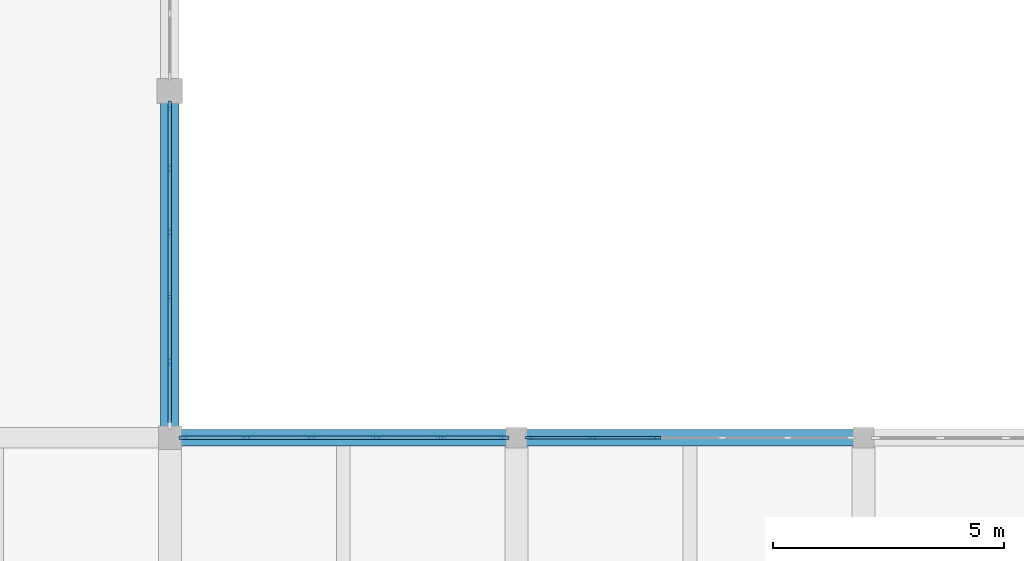
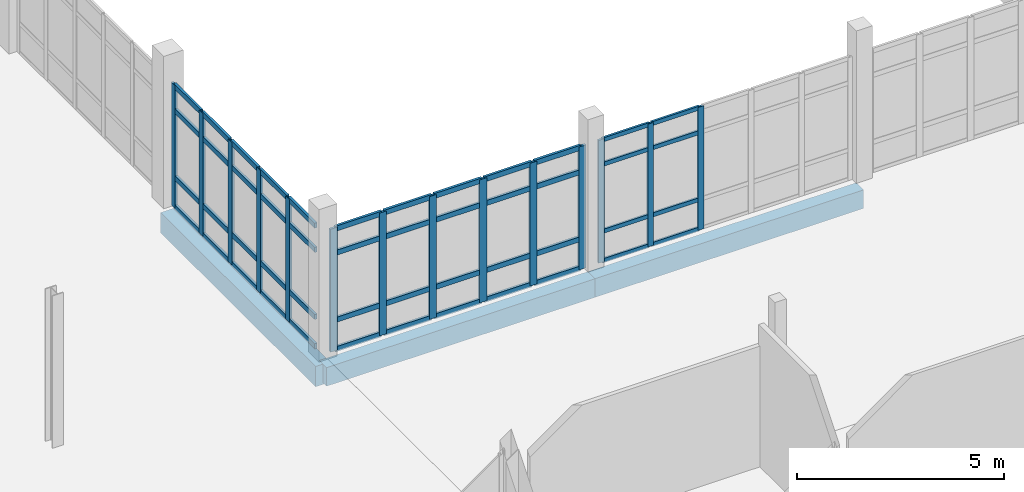
# One storey, part 39 of 128: 62 members, 3 beams, 3 elements without a shape of their own.
"""IFC4 building model written with IfcOpenShell, lengths in metres."""

from ifc_helpers import new_model, si_unit, direction, frame, origin, origin_2d, place, context, subcontext, project, spatial, rectangle, extrude, material, layer, layer_set, material_profile, profile_set, type_object, element, aggregate, save


model = new_model("IFC4")

# Units and contexts
model_context = context("Model", 3, precision=1e-05, world=origin(), true_north=direction((0.0, 1.0)))
body_context = subcontext(model_context, "Body", "Model", "MODEL_VIEW")
ifc_project = project(units=[si_unit("LENGTHUNIT", "METRE"), si_unit("AREAUNIT", "SQUARE_METRE"), si_unit("VOLUMEUNIT", "CUBIC_METRE"), si_unit("PLANEANGLEUNIT", "RADIAN"), si_unit("MASSUNIT", "GRAM", prefix="KILO")], contexts=[model_context])

# Site, building, storey
site_placement = place(None, origin())
site = spatial("IfcSite", under=ifc_project, at=site_placement, CompositionType="ELEMENT")
building_placement = place(site_placement, origin())
building = spatial("IfcBuilding", under=site, at=building_placement, Name="Dalvernix Boulevard General Hospital", CompositionType="ELEMENT")
storey_placement = place(building_placement, frame((0.0, 0.0, 4.800048828125)))
storey = spatial("IfcBuildingStorey", under=building, at=storey_placement, Name="L01", CompositionType="ELEMENT", Elevation=4.800048828125)

# Beams
ifc_material_1 = material(Name="Concrete C35/45", Category="concrete")
ifc_material_profile_1 = material_profile(ifc_material_1, rectangle(XDim=0.35009765625, YDim=0.550048828125, at=origin_2d()), Name="RCB 350x550")
ifc_profile_set_1 = profile_set([ifc_material_profile_1], Name="Concrete C35/45")
beam_type_1 = type_object("IfcBeamType", Name="BM-SB-01-E", PredefinedType="SPANDREL", material=ifc_profile_set_1)
for number, where, z_axis, x_axis, name in (
    (1, (112.5, 31.5, -0.574951171875), (1.0, 0.0, 0.0), (0.0, 1.0, 0.0), "L01 E-W girder E:16-17"),
    (2, (120.0, 31.5, -0.574951171875), (1.0, 0.0, 0.0), (0.0, 1.0, 0.0), "L01 E-W girder E:17-18"),
):
    element("IfcBeam", number, at=place(storey_placement, frame(where, z_axis=z_axis, x_axis=x_axis)), inside=storey, type_object=beam_type_1, Name=name, PredefinedType="SPANDREL", context=body_context, shape_type="SweptSolid", body=[
        extrude(rectangle(XDim=0.35009765625, YDim=0.550048828125, at=origin_2d()), origin(), (0.0, 0.0, 1.0), 7.5),
    ])
ifc_material_profile_2 = material_profile(ifc_material_1, rectangle(XDim=0.39990234375, YDim=0.60009765625, at=origin_2d()), Name="RCB 400x600")
ifc_profile_set_2 = profile_set([ifc_material_profile_2], Name="Concrete C35/45")
beam_type_2 = type_object("IfcBeamType", Name="BM-SB-02-E", PredefinedType="SPANDREL", material=ifc_profile_set_2)
beam_placement = place(storey_placement, frame((112.5, 31.5, -0.60009765625), z_axis=(0.0, 1.0, 0.0), x_axis=(-1.0, 0.0, 0.0)))
element("IfcBeam", 3, at=beam_placement, inside=storey, type_object=beam_type_2, Name="L01 N-S girder 16:E-F", PredefinedType="SPANDREL", context=body_context, shape_type="SweptSolid", body=[
    extrude(rectangle(XDim=0.39990234375, YDim=0.60009765625, at=origin_2d()), origin(), (0.0, 0.0, 1.0), 7.5),
])

# Curtain wall, members
ifc_material_2 = material(Name="Thermally broken aluminium and solar-control glass curtain wall", Category="aluminium")
ifc_layer_1 = layer(ifc_material_2, 0.159912109375)
ifc_layer_set_1 = layer_set([ifc_layer_1], Name="Thermally broken aluminium and solar-control glass curtain wall (CW-CW-A-70x36)")
curtain_wall_type_1 = type_object("IfcCurtainWallType", Name="CW-CW-A-70x36", PredefinedType="USERDEFINED", material=ifc_layer_set_1)
curtain_wall_1_placement = place(storey_placement, origin())
curtain_wall_1 = element("IfcCurtainWall", 4, at=curtain_wall_1_placement, inside=storey, type_object=curtain_wall_type_1, Name="L01 curtain wall CW-A-70x36 16-4", ObjectType="GLAZED FACADE", PredefinedType="USERDEFINED")
ifc_material_3 = material(Name="Aluminium EN AW-6060", Category="aluminium")
ifc_material_profile_3 = material_profile(ifc_material_3, rectangle(XDim=0.06005859375, YDim=0.159912109375, at=origin_2d()), Name="ALU MULL 60x160")
ifc_profile_set_3 = profile_set([ifc_material_profile_3], Name="Aluminium EN AW-6060")
member_type_1 = type_object("IfcMemberType", Name="MEM-CW-M1", PredefinedType="MULLION", material=ifc_profile_set_3)
member_1_placement = place(storey_placement, frame((120.264892578125, 31.5, 0.0), z_axis=(0.0, 0.0, 1.0), x_axis=(0.0, 1.0, 0.0)))
member_1 = element("IfcMember", 5, at=member_1_placement, type_object=member_type_1, Name="CW-A-70x36 mullion 1", PredefinedType="MULLION", context=body_context, shape_type="SweptSolid", body=[
    extrude(rectangle(XDim=0.06005859375, YDim=0.159912109375, at=origin_2d()), origin(), (0.0, 0.0, 1.0), 3.6298828125),
])
member_2_placement = place(storey_placement, frame((121.64111328125, 31.5, 0.0), z_axis=(0.0, 0.0, 1.0), x_axis=(0.0, 1.0, 0.0)))
member_2 = element("IfcMember", 6, at=member_2_placement, type_object=member_type_1, Name="CW-A-70x36 mullion 2", PredefinedType="MULLION", context=body_context, shape_type="SweptSolid", body=[
    extrude(rectangle(XDim=0.06005859375, YDim=0.159912109375, at=origin_2d()), origin(), (0.0, 0.0, 1.0), 3.6298828125),
])
member_3_placement = place(storey_placement, frame((123.047119140625, 31.5, 0.0), z_axis=(0.0, 0.0, 1.0), x_axis=(0.0, 1.0, 0.0)))
member_3 = element("IfcMember", 7, at=member_3_placement, type_object=member_type_1, Name="CW-A-70x36 mullion 3", PredefinedType="MULLION", context=body_context, shape_type="SweptSolid", body=[
    extrude(rectangle(XDim=0.06005859375, YDim=0.159912109375, at=origin_2d()), origin(), (0.0, 0.0, 1.0), 3.6298828125),
])

ifc_layer_2 = layer(ifc_material_2, 0.199951171875)
ifc_layer_set_2 = layer_set([ifc_layer_2], Name="Thermally broken aluminium and solar-control glass curtain wall (CW-CW-C-70x36)")
curtain_wall_type_2 = type_object("IfcCurtainWallType", Name="CW-CW-C-70x36", PredefinedType="USERDEFINED", material=ifc_layer_set_2)
curtain_wall_2_placement = place(storey_placement, origin())
curtain_wall_2 = element("IfcCurtainWall", 8, at=curtain_wall_2_placement, inside=storey, type_object=curtain_wall_type_2, Name="L01 curtain wall CW-C-70x36 15-4", ObjectType="GLAZED FACADE", PredefinedType="USERDEFINED")
ifc_material_profile_4 = material_profile(ifc_material_3, rectangle(XDim=0.070068359375, YDim=0.199951171875, at=origin_2d()), Name="ALU MULL 70x200")
ifc_profile_set_4 = profile_set([ifc_material_profile_4], Name="Aluminium EN AW-6060")
member_type_2 = type_object("IfcMemberType", Name="MEM-CW-M3", PredefinedType="MULLION", material=ifc_profile_set_4)
member_4_placement = place(storey_placement, frame((112.5, 38.679931640625, 0.0), z_axis=(0.0, 0.0, 1.0), x_axis=(1.0, 0.0, 0.0)))
member_4 = element("IfcMember", 9, at=member_4_placement, type_object=member_type_2, Name="CW-C-70x36 mullion 1", PredefinedType="MULLION", context=body_context, shape_type="SweptSolid", body=[
    extrude(rectangle(XDim=0.070068359375, YDim=0.199951171875, at=origin_2d()), origin(), (0.0, 0.0, 1.0), 3.6298828125),
])
member_5_placement = place(storey_placement, frame((112.5, 37.323974609375, 0.0), z_axis=(0.0, 0.0, 1.0), x_axis=(1.0, 0.0, 0.0)))
member_5 = element("IfcMember", 10, at=member_5_placement, type_object=member_type_2, Name="CW-C-70x36 mullion 2", PredefinedType="MULLION", context=body_context, shape_type="SweptSolid", body=[
    extrude(rectangle(XDim=0.070068359375, YDim=0.199951171875, at=origin_2d()), origin(), (0.0, 0.0, 1.0), 3.6298828125),
])
member_6_placement = place(storey_placement, frame((112.5, 35.93310546875, 0.0), z_axis=(0.0, 0.0, 1.0), x_axis=(1.0, 0.0, 0.0)))
member_6 = element("IfcMember", 11, at=member_6_placement, type_object=member_type_2, Name="CW-C-70x36 mullion 3", PredefinedType="MULLION", context=body_context, shape_type="SweptSolid", body=[
    extrude(rectangle(XDim=0.070068359375, YDim=0.199951171875, at=origin_2d()), origin(), (0.0, 0.0, 1.0), 3.6298828125),
])
member_7_placement = place(storey_placement, frame((112.5, 34.5419921875, 0.0), z_axis=(0.0, 0.0, 1.0), x_axis=(1.0, 0.0, 0.0)))
member_7 = element("IfcMember", 12, at=member_7_placement, type_object=member_type_2, Name="CW-C-70x36 mullion 4", PredefinedType="MULLION", context=body_context, shape_type="SweptSolid", body=[
    extrude(rectangle(XDim=0.070068359375, YDim=0.199951171875, at=origin_2d()), origin(), (0.0, 0.0, 1.0), 3.6298828125),
])
member_8_placement = place(storey_placement, frame((112.5, 33.15087890625, 0.0), z_axis=(0.0, 0.0, 1.0), x_axis=(1.0, 0.0, 0.0)))
member_8 = element("IfcMember", 13, at=member_8_placement, type_object=member_type_2, Name="CW-C-70x36 mullion 5", PredefinedType="MULLION", context=body_context, shape_type="SweptSolid", body=[
    extrude(rectangle(XDim=0.070068359375, YDim=0.199951171875, at=origin_2d()), origin(), (0.0, 0.0, 1.0), 3.6298828125),
])

curtain_wall_3_placement = place(storey_placement, origin())
curtain_wall_3 = element("IfcCurtainWall", 14, at=curtain_wall_3_placement, inside=storey, type_object=curtain_wall_type_2, Name="L01 curtain wall CW-C-70x36 15-4", ObjectType="GLAZED FACADE", PredefinedType="USERDEFINED")
member_9_placement = place(storey_placement, frame((112.794921875, 31.5, 0.0), z_axis=(0.0, 0.0, 1.0), x_axis=(0.0, 1.0, 0.0)))
member_9 = element("IfcMember", 15, at=member_9_placement, type_object=member_type_2, Name="CW-C-70x36 mullion 1", PredefinedType="MULLION", context=body_context, shape_type="SweptSolid", body=[
    extrude(rectangle(XDim=0.070068359375, YDim=0.199951171875, at=origin_2d()), origin(), (0.0, 0.0, 1.0), 3.6298828125),
])
member_10_placement = place(storey_placement, frame((114.160888671875, 31.5, 0.0), z_axis=(0.0, 0.0, 1.0), x_axis=(0.0, 1.0, 0.0)))
member_10 = element("IfcMember", 16, at=member_10_placement, type_object=member_type_2, Name="CW-C-70x36 mullion 2", PredefinedType="MULLION", context=body_context, shape_type="SweptSolid", body=[
    extrude(rectangle(XDim=0.070068359375, YDim=0.199951171875, at=origin_2d()), origin(), (0.0, 0.0, 1.0), 3.6298828125),
])
member_11_placement = place(storey_placement, frame((115.56201171875, 31.5, 0.0), z_axis=(0.0, 0.0, 1.0), x_axis=(0.0, 1.0, 0.0)))
member_11 = element("IfcMember", 17, at=member_11_placement, type_object=member_type_2, Name="CW-C-70x36 mullion 3", PredefinedType="MULLION", context=body_context, shape_type="SweptSolid", body=[
    extrude(rectangle(XDim=0.070068359375, YDim=0.199951171875, at=origin_2d()), origin(), (0.0, 0.0, 1.0), 3.6298828125),
])
member_12_placement = place(storey_placement, frame((116.962890625, 31.5, 0.0), z_axis=(0.0, 0.0, 1.0), x_axis=(0.0, 1.0, 0.0)))
member_12 = element("IfcMember", 18, at=member_12_placement, type_object=member_type_2, Name="CW-C-70x36 mullion 4", PredefinedType="MULLION", context=body_context, shape_type="SweptSolid", body=[
    extrude(rectangle(XDim=0.070068359375, YDim=0.199951171875, at=origin_2d()), origin(), (0.0, 0.0, 1.0), 3.6298828125),
])
member_13_placement = place(storey_placement, frame((118.364013671875, 31.5, 0.0), z_axis=(0.0, 0.0, 1.0), x_axis=(0.0, 1.0, 0.0)))
member_13 = element("IfcMember", 19, at=member_13_placement, type_object=member_type_2, Name="CW-C-70x36 mullion 5", PredefinedType="MULLION", context=body_context, shape_type="SweptSolid", body=[
    extrude(rectangle(XDim=0.070068359375, YDim=0.199951171875, at=origin_2d()), origin(), (0.0, 0.0, 1.0), 3.6298828125),
])
member_14_placement = place(storey_placement, frame((119.72998046875, 31.5, 0.0), z_axis=(0.0, 0.0, 1.0), x_axis=(0.0, 1.0, 0.0)))
member_14 = element("IfcMember", 20, at=member_14_placement, type_object=member_type_2, Name="CW-C-70x36 mullion 6", PredefinedType="MULLION", context=body_context, shape_type="SweptSolid", body=[
    extrude(rectangle(XDim=0.070068359375, YDim=0.199951171875, at=origin_2d()), origin(), (0.0, 0.0, 1.0), 3.6298828125),
])

# Member
ifc_material_profile_5 = material_profile(ifc_material_3, rectangle(XDim=0.06005859375, YDim=0.1201171875, at=origin_2d()), Name="ALU TRAN 60x120")
ifc_profile_set_5 = profile_set([ifc_material_profile_5], Name="Aluminium EN AW-6060")
member_type_3 = type_object("IfcMemberType", Name="MEM-CW-T1", PredefinedType="USERDEFINED", material=ifc_profile_set_5)
member_15_placement = place(storey_placement, frame((120.294921875, 31.5, 0.030029296875), z_axis=(1.0, 0.0, 0.0), x_axis=(0.0, 1.0, 0.0)))
member_15 = element("IfcMember", 21, at=member_15_placement, type_object=member_type_3, Name="CW-A-70x36 transom 1.1", ObjectType="TRANSOM", PredefinedType="USERDEFINED", context=body_context, shape_type="SweptSolid", body=[
    extrude(rectangle(XDim=0.06005859375, YDim=0.1201171875, at=origin_2d()), origin(), (0.0, 0.0, 1.0), 1.316162109375),
])

member_16_placement = place(storey_placement, frame((120.294921875, 31.5, 0.89990234375), z_axis=(1.0, 0.0, 0.0), x_axis=(0.0, 1.0, 0.0)))
member_16 = element("IfcMember", 22, at=member_16_placement, type_object=member_type_3, Name="CW-A-70x36 transom 1.2", ObjectType="TRANSOM", PredefinedType="USERDEFINED", context=body_context, shape_type="SweptSolid", body=[
    extrude(rectangle(XDim=0.06005859375, YDim=0.1201171875, at=origin_2d()), origin(), (0.0, 0.0, 1.0), 1.316162109375),
])

member_17_placement = place(storey_placement, frame((120.294921875, 31.5, 2.8798828125), z_axis=(1.0, 0.0, 0.0), x_axis=(0.0, 1.0, 0.0)))
member_17 = element("IfcMember", 23, at=member_17_placement, type_object=member_type_3, Name="CW-A-70x36 transom 1.3", ObjectType="TRANSOM", PredefinedType="USERDEFINED", context=body_context, shape_type="SweptSolid", body=[
    extrude(rectangle(XDim=0.06005859375, YDim=0.1201171875, at=origin_2d()), origin(), (0.0, 0.0, 1.0), 1.316162109375),
])

member_18_placement = place(storey_placement, frame((120.294921875, 31.5, 3.599853515625), z_axis=(1.0, 0.0, 0.0), x_axis=(0.0, 1.0, 0.0)))
member_18 = element("IfcMember", 24, at=member_18_placement, type_object=member_type_3, Name="CW-A-70x36 transom 1.4", ObjectType="TRANSOM", PredefinedType="USERDEFINED", context=body_context, shape_type="SweptSolid", body=[
    extrude(rectangle(XDim=0.06005859375, YDim=0.1201171875, at=origin_2d()), origin(), (0.0, 0.0, 1.0), 1.316162109375),
])

member_19_placement = place(storey_placement, frame((121.6708984375, 31.5, 0.030029296875), z_axis=(1.0, 0.0, 0.0), x_axis=(0.0, 1.0, 0.0)))
member_19 = element("IfcMember", 25, at=member_19_placement, type_object=member_type_3, Name="CW-A-70x36 transom 2.1", ObjectType="TRANSOM", PredefinedType="USERDEFINED", context=body_context, shape_type="SweptSolid", body=[
    extrude(rectangle(XDim=0.06005859375, YDim=0.1201171875, at=origin_2d()), origin(), (0.0, 0.0, 1.0), 1.34619140625),
])

member_20_placement = place(storey_placement, frame((121.6708984375, 31.5, 0.89990234375), z_axis=(1.0, 0.0, 0.0), x_axis=(0.0, 1.0, 0.0)))
member_20 = element("IfcMember", 26, at=member_20_placement, type_object=member_type_3, Name="CW-A-70x36 transom 2.2", ObjectType="TRANSOM", PredefinedType="USERDEFINED", context=body_context, shape_type="SweptSolid", body=[
    extrude(rectangle(XDim=0.06005859375, YDim=0.1201171875, at=origin_2d()), origin(), (0.0, 0.0, 1.0), 1.34619140625),
])

member_21_placement = place(storey_placement, frame((121.6708984375, 31.5, 2.8798828125), z_axis=(1.0, 0.0, 0.0), x_axis=(0.0, 1.0, 0.0)))
member_21 = element("IfcMember", 27, at=member_21_placement, type_object=member_type_3, Name="CW-A-70x36 transom 2.3", ObjectType="TRANSOM", PredefinedType="USERDEFINED", context=body_context, shape_type="SweptSolid", body=[
    extrude(rectangle(XDim=0.06005859375, YDim=0.1201171875, at=origin_2d()), origin(), (0.0, 0.0, 1.0), 1.34619140625),
])

member_22_placement = place(storey_placement, frame((121.6708984375, 31.5, 3.599853515625), z_axis=(1.0, 0.0, 0.0), x_axis=(0.0, 1.0, 0.0)))
member_22 = element("IfcMember", 28, at=member_22_placement, type_object=member_type_3, Name="CW-A-70x36 transom 2.4", ObjectType="TRANSOM", PredefinedType="USERDEFINED", context=body_context, shape_type="SweptSolid", body=[
    extrude(rectangle(XDim=0.06005859375, YDim=0.1201171875, at=origin_2d()), origin(), (0.0, 0.0, 1.0), 1.34619140625),
])

aggregate(curtain_wall_1, [member_1, member_2, member_3, member_15, member_16, member_17, member_18, member_19, member_20, member_21, member_22])

ifc_material_profile_6 = material_profile(ifc_material_3, rectangle(XDim=0.070068359375, YDim=0.14990234375, at=origin_2d()), Name="ALU TRAN 70x150")
ifc_profile_set_6 = profile_set([ifc_material_profile_6], Name="Aluminium EN AW-6060")
member_type_4 = type_object("IfcMemberType", Name="MEM-CW-T3", PredefinedType="USERDEFINED", material=ifc_profile_set_6)
member_23_placement = place(storey_placement, frame((112.5, 38.64501953125, 0.034912109375), z_axis=(0.0, -1.0, 0.0), x_axis=(1.0, 0.0, 0.0)))
member_23 = element("IfcMember", 29, at=member_23_placement, type_object=member_type_4, Name="CW-C-70x36 transom 1.1", ObjectType="TRANSOM", PredefinedType="USERDEFINED", context=body_context, shape_type="SweptSolid", body=[
    extrude(rectangle(XDim=0.070068359375, YDim=0.14990234375, at=origin_2d()), origin(), (0.0, 0.0, 1.0), 1.2861328125),
])

member_24_placement = place(storey_placement, frame((112.5, 38.64501953125, 0.89990234375), z_axis=(0.0, -1.0, 0.0), x_axis=(1.0, 0.0, 0.0)))
member_24 = element("IfcMember", 30, at=member_24_placement, type_object=member_type_4, Name="CW-C-70x36 transom 1.2", ObjectType="TRANSOM", PredefinedType="USERDEFINED", context=body_context, shape_type="SweptSolid", body=[
    extrude(rectangle(XDim=0.070068359375, YDim=0.14990234375, at=origin_2d()), origin(), (0.0, 0.0, 1.0), 1.2861328125),
])

member_25_placement = place(storey_placement, frame((112.5, 38.64501953125, 2.8798828125), z_axis=(0.0, -1.0, 0.0), x_axis=(1.0, 0.0, 0.0)))
member_25 = element("IfcMember", 31, at=member_25_placement, type_object=member_type_4, Name="CW-C-70x36 transom 1.3", ObjectType="TRANSOM", PredefinedType="USERDEFINED", context=body_context, shape_type="SweptSolid", body=[
    extrude(rectangle(XDim=0.070068359375, YDim=0.14990234375, at=origin_2d()), origin(), (0.0, 0.0, 1.0), 1.2861328125),
])

member_26_placement = place(storey_placement, frame((112.5, 38.64501953125, 3.594970703125), z_axis=(0.0, -1.0, 0.0), x_axis=(1.0, 0.0, 0.0)))
member_26 = element("IfcMember", 32, at=member_26_placement, type_object=member_type_4, Name="CW-C-70x36 transom 1.4", ObjectType="TRANSOM", PredefinedType="USERDEFINED", context=body_context, shape_type="SweptSolid", body=[
    extrude(rectangle(XDim=0.070068359375, YDim=0.14990234375, at=origin_2d()), origin(), (0.0, 0.0, 1.0), 1.2861328125),
])

member_27_placement = place(storey_placement, frame((112.5, 37.2890625, 0.034912109375), z_axis=(0.0, -1.0, 0.0), x_axis=(1.0, 0.0, 0.0)))
member_27 = element("IfcMember", 33, at=member_27_placement, type_object=member_type_4, Name="CW-C-70x36 transom 2.1", ObjectType="TRANSOM", PredefinedType="USERDEFINED", context=body_context, shape_type="SweptSolid", body=[
    extrude(rectangle(XDim=0.070068359375, YDim=0.14990234375, at=origin_2d()), origin(), (0.0, 0.0, 1.0), 1.321044921875),
])

member_28_placement = place(storey_placement, frame((112.5, 37.2890625, 0.89990234375), z_axis=(0.0, -1.0, 0.0), x_axis=(1.0, 0.0, 0.0)))
member_28 = element("IfcMember", 34, at=member_28_placement, type_object=member_type_4, Name="CW-C-70x36 transom 2.2", ObjectType="TRANSOM", PredefinedType="USERDEFINED", context=body_context, shape_type="SweptSolid", body=[
    extrude(rectangle(XDim=0.070068359375, YDim=0.14990234375, at=origin_2d()), origin(), (0.0, 0.0, 1.0), 1.321044921875),
])

member_29_placement = place(storey_placement, frame((112.5, 37.2890625, 2.8798828125), z_axis=(0.0, -1.0, 0.0), x_axis=(1.0, 0.0, 0.0)))
member_29 = element("IfcMember", 35, at=member_29_placement, type_object=member_type_4, Name="CW-C-70x36 transom 2.3", ObjectType="TRANSOM", PredefinedType="USERDEFINED", context=body_context, shape_type="SweptSolid", body=[
    extrude(rectangle(XDim=0.070068359375, YDim=0.14990234375, at=origin_2d()), origin(), (0.0, 0.0, 1.0), 1.321044921875),
])

member_30_placement = place(storey_placement, frame((112.5, 37.2890625, 3.594970703125), z_axis=(0.0, -1.0, 0.0), x_axis=(1.0, 0.0, 0.0)))
member_30 = element("IfcMember", 36, at=member_30_placement, type_object=member_type_4, Name="CW-C-70x36 transom 2.4", ObjectType="TRANSOM", PredefinedType="USERDEFINED", context=body_context, shape_type="SweptSolid", body=[
    extrude(rectangle(XDim=0.070068359375, YDim=0.14990234375, at=origin_2d()), origin(), (0.0, 0.0, 1.0), 1.321044921875),
])

member_31_placement = place(storey_placement, frame((112.5, 35.89794921875, 0.034912109375), z_axis=(0.0, -1.0, 0.0), x_axis=(1.0, 0.0, 0.0)))
member_31 = element("IfcMember", 37, at=member_31_placement, type_object=member_type_4, Name="CW-C-70x36 transom 3.1", ObjectType="TRANSOM", PredefinedType="USERDEFINED", context=body_context, shape_type="SweptSolid", body=[
    extrude(rectangle(XDim=0.070068359375, YDim=0.14990234375, at=origin_2d()), origin(), (0.0, 0.0, 1.0), 1.321044921875),
])

member_32_placement = place(storey_placement, frame((112.5, 35.89794921875, 0.89990234375), z_axis=(0.0, -1.0, 0.0), x_axis=(1.0, 0.0, 0.0)))
member_32 = element("IfcMember", 38, at=member_32_placement, type_object=member_type_4, Name="CW-C-70x36 transom 3.2", ObjectType="TRANSOM", PredefinedType="USERDEFINED", context=body_context, shape_type="SweptSolid", body=[
    extrude(rectangle(XDim=0.070068359375, YDim=0.14990234375, at=origin_2d()), origin(), (0.0, 0.0, 1.0), 1.321044921875),
])

member_33_placement = place(storey_placement, frame((112.5, 35.89794921875, 2.8798828125), z_axis=(0.0, -1.0, 0.0), x_axis=(1.0, 0.0, 0.0)))
member_33 = element("IfcMember", 39, at=member_33_placement, type_object=member_type_4, Name="CW-C-70x36 transom 3.3", ObjectType="TRANSOM", PredefinedType="USERDEFINED", context=body_context, shape_type="SweptSolid", body=[
    extrude(rectangle(XDim=0.070068359375, YDim=0.14990234375, at=origin_2d()), origin(), (0.0, 0.0, 1.0), 1.321044921875),
])

member_34_placement = place(storey_placement, frame((112.5, 35.89794921875, 3.594970703125), z_axis=(0.0, -1.0, 0.0), x_axis=(1.0, 0.0, 0.0)))
member_34 = element("IfcMember", 40, at=member_34_placement, type_object=member_type_4, Name="CW-C-70x36 transom 3.4", ObjectType="TRANSOM", PredefinedType="USERDEFINED", context=body_context, shape_type="SweptSolid", body=[
    extrude(rectangle(XDim=0.070068359375, YDim=0.14990234375, at=origin_2d()), origin(), (0.0, 0.0, 1.0), 1.321044921875),
])

member_35_placement = place(storey_placement, frame((112.5, 34.507080078125, 0.034912109375), z_axis=(0.0, -1.0, 0.0), x_axis=(1.0, 0.0, 0.0)))
member_35 = element("IfcMember", 41, at=member_35_placement, type_object=member_type_4, Name="CW-C-70x36 transom 4.1", ObjectType="TRANSOM", PredefinedType="USERDEFINED", context=body_context, shape_type="SweptSolid", body=[
    extrude(rectangle(XDim=0.070068359375, YDim=0.14990234375, at=origin_2d()), origin(), (0.0, 0.0, 1.0), 1.321044921875),
])

member_36_placement = place(storey_placement, frame((112.5, 34.507080078125, 0.89990234375), z_axis=(0.0, -1.0, 0.0), x_axis=(1.0, 0.0, 0.0)))
member_36 = element("IfcMember", 42, at=member_36_placement, type_object=member_type_4, Name="CW-C-70x36 transom 4.2", ObjectType="TRANSOM", PredefinedType="USERDEFINED", context=body_context, shape_type="SweptSolid", body=[
    extrude(rectangle(XDim=0.070068359375, YDim=0.14990234375, at=origin_2d()), origin(), (0.0, 0.0, 1.0), 1.321044921875),
])

member_37_placement = place(storey_placement, frame((112.5, 34.507080078125, 2.8798828125), z_axis=(0.0, -1.0, 0.0), x_axis=(1.0, 0.0, 0.0)))
member_37 = element("IfcMember", 43, at=member_37_placement, type_object=member_type_4, Name="CW-C-70x36 transom 4.3", ObjectType="TRANSOM", PredefinedType="USERDEFINED", context=body_context, shape_type="SweptSolid", body=[
    extrude(rectangle(XDim=0.070068359375, YDim=0.14990234375, at=origin_2d()), origin(), (0.0, 0.0, 1.0), 1.321044921875),
])

member_38_placement = place(storey_placement, frame((112.5, 34.507080078125, 3.594970703125), z_axis=(0.0, -1.0, 0.0), x_axis=(1.0, 0.0, 0.0)))
member_38 = element("IfcMember", 44, at=member_38_placement, type_object=member_type_4, Name="CW-C-70x36 transom 4.4", ObjectType="TRANSOM", PredefinedType="USERDEFINED", context=body_context, shape_type="SweptSolid", body=[
    extrude(rectangle(XDim=0.070068359375, YDim=0.14990234375, at=origin_2d()), origin(), (0.0, 0.0, 1.0), 1.321044921875),
])

member_39_placement = place(storey_placement, frame((112.5, 33.115966796875, 0.034912109375), z_axis=(0.0, -1.0, 0.0), x_axis=(1.0, 0.0, 0.0)))
member_39 = element("IfcMember", 45, at=member_39_placement, type_object=member_type_4, Name="CW-C-70x36 transom 5.1", ObjectType="TRANSOM", PredefinedType="USERDEFINED", context=body_context, shape_type="SweptSolid", body=[
    extrude(rectangle(XDim=0.070068359375, YDim=0.14990234375, at=origin_2d()), origin(), (0.0, 0.0, 1.0), 1.285888671875),
])

member_40_placement = place(storey_placement, frame((112.5, 33.115966796875, 0.89990234375), z_axis=(0.0, -1.0, 0.0), x_axis=(1.0, 0.0, 0.0)))
member_40 = element("IfcMember", 46, at=member_40_placement, type_object=member_type_4, Name="CW-C-70x36 transom 5.2", ObjectType="TRANSOM", PredefinedType="USERDEFINED", context=body_context, shape_type="SweptSolid", body=[
    extrude(rectangle(XDim=0.070068359375, YDim=0.14990234375, at=origin_2d()), origin(), (0.0, 0.0, 1.0), 1.285888671875),
])

member_41_placement = place(storey_placement, frame((112.5, 33.115966796875, 2.8798828125), z_axis=(0.0, -1.0, 0.0), x_axis=(1.0, 0.0, 0.0)))
member_41 = element("IfcMember", 47, at=member_41_placement, type_object=member_type_4, Name="CW-C-70x36 transom 5.3", ObjectType="TRANSOM", PredefinedType="USERDEFINED", context=body_context, shape_type="SweptSolid", body=[
    extrude(rectangle(XDim=0.070068359375, YDim=0.14990234375, at=origin_2d()), origin(), (0.0, 0.0, 1.0), 1.285888671875),
])

member_42_placement = place(storey_placement, frame((112.5, 33.115966796875, 3.594970703125), z_axis=(0.0, -1.0, 0.0), x_axis=(1.0, 0.0, 0.0)))
member_42 = element("IfcMember", 48, at=member_42_placement, type_object=member_type_4, Name="CW-C-70x36 transom 5.4", ObjectType="TRANSOM", PredefinedType="USERDEFINED", context=body_context, shape_type="SweptSolid", body=[
    extrude(rectangle(XDim=0.070068359375, YDim=0.14990234375, at=origin_2d()), origin(), (0.0, 0.0, 1.0), 1.285888671875),
])

aggregate(curtain_wall_2, [member_4, member_5, member_6, member_7, member_8, member_23, member_24, member_25, member_26, member_27, member_28, member_29, member_30, member_31, member_32, member_33, member_34, member_35, member_36, member_37, member_38, member_39, member_40, member_41, member_42])

member_43_placement = place(storey_placement, frame((112.830078125, 31.5, 0.034912109375), z_axis=(1.0, 0.0, 0.0), x_axis=(0.0, 1.0, 0.0)))
member_43 = element("IfcMember", 49, at=member_43_placement, type_object=member_type_4, Name="CW-C-70x36 transom 1.1", ObjectType="TRANSOM", PredefinedType="USERDEFINED", context=body_context, shape_type="SweptSolid", body=[
    extrude(rectangle(XDim=0.070068359375, YDim=0.14990234375, at=origin_2d()), origin(), (0.0, 0.0, 1.0), 1.2958984375),
])

member_44_placement = place(storey_placement, frame((112.830078125, 31.5, 0.89990234375), z_axis=(1.0, 0.0, 0.0), x_axis=(0.0, 1.0, 0.0)))
member_44 = element("IfcMember", 50, at=member_44_placement, type_object=member_type_4, Name="CW-C-70x36 transom 1.2", ObjectType="TRANSOM", PredefinedType="USERDEFINED", context=body_context, shape_type="SweptSolid", body=[
    extrude(rectangle(XDim=0.070068359375, YDim=0.14990234375, at=origin_2d()), origin(), (0.0, 0.0, 1.0), 1.2958984375),
])

member_45_placement = place(storey_placement, frame((112.830078125, 31.5, 2.8798828125), z_axis=(1.0, 0.0, 0.0), x_axis=(0.0, 1.0, 0.0)))
member_45 = element("IfcMember", 51, at=member_45_placement, type_object=member_type_4, Name="CW-C-70x36 transom 1.3", ObjectType="TRANSOM", PredefinedType="USERDEFINED", context=body_context, shape_type="SweptSolid", body=[
    extrude(rectangle(XDim=0.070068359375, YDim=0.14990234375, at=origin_2d()), origin(), (0.0, 0.0, 1.0), 1.2958984375),
])

member_46_placement = place(storey_placement, frame((112.830078125, 31.5, 3.594970703125), z_axis=(1.0, 0.0, 0.0), x_axis=(0.0, 1.0, 0.0)))
member_46 = element("IfcMember", 52, at=member_46_placement, type_object=member_type_4, Name="CW-C-70x36 transom 1.4", ObjectType="TRANSOM", PredefinedType="USERDEFINED", context=body_context, shape_type="SweptSolid", body=[
    extrude(rectangle(XDim=0.070068359375, YDim=0.14990234375, at=origin_2d()), origin(), (0.0, 0.0, 1.0), 1.2958984375),
])

member_47_placement = place(storey_placement, frame((114.196044921875, 31.5, 0.034912109375), z_axis=(1.0, 0.0, 0.0), x_axis=(0.0, 1.0, 0.0)))
member_47 = element("IfcMember", 53, at=member_47_placement, type_object=member_type_4, Name="CW-C-70x36 transom 2.1", ObjectType="TRANSOM", PredefinedType="USERDEFINED", context=body_context, shape_type="SweptSolid", body=[
    extrude(rectangle(XDim=0.070068359375, YDim=0.14990234375, at=origin_2d()), origin(), (0.0, 0.0, 1.0), 1.3310546875),
])

member_48_placement = place(storey_placement, frame((114.196044921875, 31.5, 0.89990234375), z_axis=(1.0, 0.0, 0.0), x_axis=(0.0, 1.0, 0.0)))
member_48 = element("IfcMember", 54, at=member_48_placement, type_object=member_type_4, Name="CW-C-70x36 transom 2.2", ObjectType="TRANSOM", PredefinedType="USERDEFINED", context=body_context, shape_type="SweptSolid", body=[
    extrude(rectangle(XDim=0.070068359375, YDim=0.14990234375, at=origin_2d()), origin(), (0.0, 0.0, 1.0), 1.3310546875),
])

member_49_placement = place(storey_placement, frame((114.196044921875, 31.5, 2.8798828125), z_axis=(1.0, 0.0, 0.0), x_axis=(0.0, 1.0, 0.0)))
member_49 = element("IfcMember", 55, at=member_49_placement, type_object=member_type_4, Name="CW-C-70x36 transom 2.3", ObjectType="TRANSOM", PredefinedType="USERDEFINED", context=body_context, shape_type="SweptSolid", body=[
    extrude(rectangle(XDim=0.070068359375, YDim=0.14990234375, at=origin_2d()), origin(), (0.0, 0.0, 1.0), 1.3310546875),
])

member_50_placement = place(storey_placement, frame((114.196044921875, 31.5, 3.594970703125), z_axis=(1.0, 0.0, 0.0), x_axis=(0.0, 1.0, 0.0)))
member_50 = element("IfcMember", 56, at=member_50_placement, type_object=member_type_4, Name="CW-C-70x36 transom 2.4", ObjectType="TRANSOM", PredefinedType="USERDEFINED", context=body_context, shape_type="SweptSolid", body=[
    extrude(rectangle(XDim=0.070068359375, YDim=0.14990234375, at=origin_2d()), origin(), (0.0, 0.0, 1.0), 1.3310546875),
])

member_51_placement = place(storey_placement, frame((115.596923828125, 31.5, 0.034912109375), z_axis=(1.0, 0.0, 0.0), x_axis=(0.0, 1.0, 0.0)))
member_51 = element("IfcMember", 57, at=member_51_placement, type_object=member_type_4, Name="CW-C-70x36 transom 3.1", ObjectType="TRANSOM", PredefinedType="USERDEFINED", context=body_context, shape_type="SweptSolid", body=[
    extrude(rectangle(XDim=0.070068359375, YDim=0.14990234375, at=origin_2d()), origin(), (0.0, 0.0, 1.0), 1.3310546875),
])

member_52_placement = place(storey_placement, frame((115.596923828125, 31.5, 0.89990234375), z_axis=(1.0, 0.0, 0.0), x_axis=(0.0, 1.0, 0.0)))
member_52 = element("IfcMember", 58, at=member_52_placement, type_object=member_type_4, Name="CW-C-70x36 transom 3.2", ObjectType="TRANSOM", PredefinedType="USERDEFINED", context=body_context, shape_type="SweptSolid", body=[
    extrude(rectangle(XDim=0.070068359375, YDim=0.14990234375, at=origin_2d()), origin(), (0.0, 0.0, 1.0), 1.3310546875),
])

member_53_placement = place(storey_placement, frame((115.596923828125, 31.5, 2.8798828125), z_axis=(1.0, 0.0, 0.0), x_axis=(0.0, 1.0, 0.0)))
member_53 = element("IfcMember", 59, at=member_53_placement, type_object=member_type_4, Name="CW-C-70x36 transom 3.3", ObjectType="TRANSOM", PredefinedType="USERDEFINED", context=body_context, shape_type="SweptSolid", body=[
    extrude(rectangle(XDim=0.070068359375, YDim=0.14990234375, at=origin_2d()), origin(), (0.0, 0.0, 1.0), 1.3310546875),
])

member_54_placement = place(storey_placement, frame((115.596923828125, 31.5, 3.594970703125), z_axis=(1.0, 0.0, 0.0), x_axis=(0.0, 1.0, 0.0)))
member_54 = element("IfcMember", 60, at=member_54_placement, type_object=member_type_4, Name="CW-C-70x36 transom 3.4", ObjectType="TRANSOM", PredefinedType="USERDEFINED", context=body_context, shape_type="SweptSolid", body=[
    extrude(rectangle(XDim=0.070068359375, YDim=0.14990234375, at=origin_2d()), origin(), (0.0, 0.0, 1.0), 1.3310546875),
])

member_55_placement = place(storey_placement, frame((116.998046875, 31.5, 0.034912109375), z_axis=(1.0, 0.0, 0.0), x_axis=(0.0, 1.0, 0.0)))
member_55 = element("IfcMember", 61, at=member_55_placement, type_object=member_type_4, Name="CW-C-70x36 transom 4.1", ObjectType="TRANSOM", PredefinedType="USERDEFINED", context=body_context, shape_type="SweptSolid", body=[
    extrude(rectangle(XDim=0.070068359375, YDim=0.14990234375, at=origin_2d()), origin(), (0.0, 0.0, 1.0), 1.3310546875),
])

member_56_placement = place(storey_placement, frame((116.998046875, 31.5, 0.89990234375), z_axis=(1.0, 0.0, 0.0), x_axis=(0.0, 1.0, 0.0)))
member_56 = element("IfcMember", 62, at=member_56_placement, type_object=member_type_4, Name="CW-C-70x36 transom 4.2", ObjectType="TRANSOM", PredefinedType="USERDEFINED", context=body_context, shape_type="SweptSolid", body=[
    extrude(rectangle(XDim=0.070068359375, YDim=0.14990234375, at=origin_2d()), origin(), (0.0, 0.0, 1.0), 1.3310546875),
])

member_57_placement = place(storey_placement, frame((116.998046875, 31.5, 2.8798828125), z_axis=(1.0, 0.0, 0.0), x_axis=(0.0, 1.0, 0.0)))
member_57 = element("IfcMember", 63, at=member_57_placement, type_object=member_type_4, Name="CW-C-70x36 transom 4.3", ObjectType="TRANSOM", PredefinedType="USERDEFINED", context=body_context, shape_type="SweptSolid", body=[
    extrude(rectangle(XDim=0.070068359375, YDim=0.14990234375, at=origin_2d()), origin(), (0.0, 0.0, 1.0), 1.3310546875),
])

member_58_placement = place(storey_placement, frame((116.998046875, 31.5, 3.594970703125), z_axis=(1.0, 0.0, 0.0), x_axis=(0.0, 1.0, 0.0)))
member_58 = element("IfcMember", 64, at=member_58_placement, type_object=member_type_4, Name="CW-C-70x36 transom 4.4", ObjectType="TRANSOM", PredefinedType="USERDEFINED", context=body_context, shape_type="SweptSolid", body=[
    extrude(rectangle(XDim=0.070068359375, YDim=0.14990234375, at=origin_2d()), origin(), (0.0, 0.0, 1.0), 1.3310546875),
])

member_59_placement = place(storey_placement, frame((118.39892578125, 31.5, 0.034912109375), z_axis=(1.0, 0.0, 0.0), x_axis=(0.0, 1.0, 0.0)))
member_59 = element("IfcMember", 65, at=member_59_placement, type_object=member_type_4, Name="CW-C-70x36 transom 5.1", ObjectType="TRANSOM", PredefinedType="USERDEFINED", context=body_context, shape_type="SweptSolid", body=[
    extrude(rectangle(XDim=0.070068359375, YDim=0.14990234375, at=origin_2d()), origin(), (0.0, 0.0, 1.0), 1.296142578125),
])

member_60_placement = place(storey_placement, frame((118.39892578125, 31.5, 0.89990234375), z_axis=(1.0, 0.0, 0.0), x_axis=(0.0, 1.0, 0.0)))
member_60 = element("IfcMember", 66, at=member_60_placement, type_object=member_type_4, Name="CW-C-70x36 transom 5.2", ObjectType="TRANSOM", PredefinedType="USERDEFINED", context=body_context, shape_type="SweptSolid", body=[
    extrude(rectangle(XDim=0.070068359375, YDim=0.14990234375, at=origin_2d()), origin(), (0.0, 0.0, 1.0), 1.296142578125),
])

member_61_placement = place(storey_placement, frame((118.39892578125, 31.5, 2.8798828125), z_axis=(1.0, 0.0, 0.0), x_axis=(0.0, 1.0, 0.0)))
member_61 = element("IfcMember", 67, at=member_61_placement, type_object=member_type_4, Name="CW-C-70x36 transom 5.3", ObjectType="TRANSOM", PredefinedType="USERDEFINED", context=body_context, shape_type="SweptSolid", body=[
    extrude(rectangle(XDim=0.070068359375, YDim=0.14990234375, at=origin_2d()), origin(), (0.0, 0.0, 1.0), 1.296142578125),
])

member_62_placement = place(storey_placement, frame((118.39892578125, 31.5, 3.594970703125), z_axis=(1.0, 0.0, 0.0), x_axis=(0.0, 1.0, 0.0)))
member_62 = element("IfcMember", 68, at=member_62_placement, type_object=member_type_4, Name="CW-C-70x36 transom 5.4", ObjectType="TRANSOM", PredefinedType="USERDEFINED", context=body_context, shape_type="SweptSolid", body=[
    extrude(rectangle(XDim=0.070068359375, YDim=0.14990234375, at=origin_2d()), origin(), (0.0, 0.0, 1.0), 1.296142578125),
])

aggregate(curtain_wall_3, [member_9, member_10, member_11, member_12, member_13, member_14, member_43, member_44, member_45, member_46, member_47, member_48, member_49, member_50, member_51, member_52, member_53, member_54, member_55, member_56, member_57, member_58, member_59, member_60, member_61, member_62])

save(model, "model.ifc")
